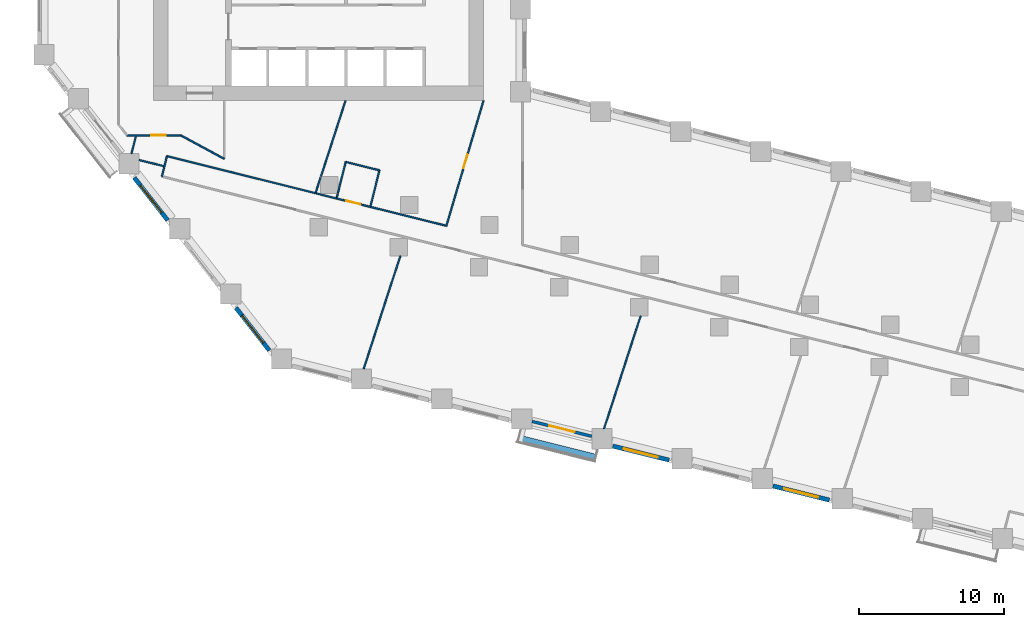
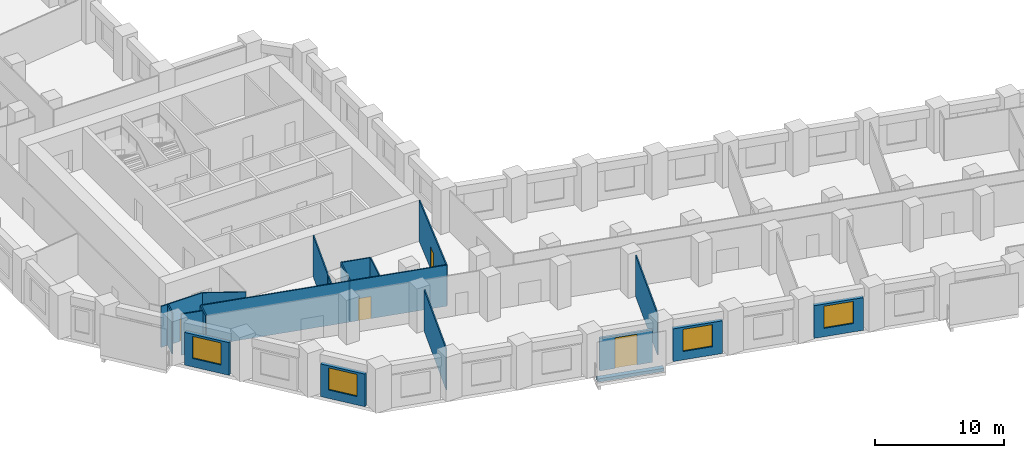
# One storey, part 3 of 12: 21 walls, 4 doors, 4 windows, 8 openings.
"""IFC4 building model written with IfcOpenShell, lengths in metres."""

from ifc_helpers import new_model, si_unit, direction, frame, frame_2d, origin, place, context, subcontext, project, spatial, rectangle, extrude, material, layer, layer_set, type_object, element, fill, save


model = new_model("IFC4")

# Units and contexts
model_context = context("Model", 3, precision=1e-05, world=origin(), true_north=direction((0.0, 1.0)))
body_context = subcontext(model_context, "Body", "Model", "MODEL_VIEW")
ifc_project = project(units=[si_unit("LENGTHUNIT", "METRE"), si_unit("AREAUNIT", "SQUARE_METRE"), si_unit("VOLUMEUNIT", "CUBIC_METRE"), si_unit("PLANEANGLEUNIT", "RADIAN"), si_unit("MASSUNIT", "GRAM", prefix="KILO")], contexts=[model_context])

# Site, building, storey
site_placement = place(None, origin())
site = spatial("IfcSite", under=ifc_project, at=site_placement, CompositionType="ELEMENT")
building_placement = place(site_placement, origin())
building = spatial("IfcBuilding", under=site, at=building_placement, Name="Meshkara Civic Tower", CompositionType="ELEMENT")
storey_placement = place(building_placement, frame((0.0, 0.0, 58.199951171875)))
storey = spatial("IfcBuildingStorey", under=building, at=storey_placement, Name="L12", CompositionType="ELEMENT", Elevation=58.199951171875)

# Wall, opening, door
ifc_material_1 = material(Name="Corridor wall 100")
ifc_layer_1 = layer(ifc_material_1, 0.10009765625)
ifc_layer_set_1 = layer_set([ifc_layer_1], Name="Corridor wall 100")
wall_type_1 = type_object("IfcWallType", Name="Corridor wall 100", PredefinedType="PARTITIONING", material=ifc_layer_set_1)
wall_1_placement = place(storey_placement, frame((6.18505859375, 11.699951171875, 0.0), z_axis=(0.0, 0.0, 1.0), x_axis=(1.0, 0.0, 0.0)))
wall_1 = element("IfcWall", 1, at=wall_1_placement, inside=storey, type_object=wall_type_1, Name="L12-W006", PredefinedType="PARTITIONING", context=body_context, shape_type="SweptSolid", body=[
    extrude(rectangle(XDim=3.71484375, YDim=0.10009765625, at=frame_2d((1.857421875, 0.0))), origin(), (0.0, 0.0, 1.0), 3.900146484375),
])
opening_1_placement = place(wall_1_placement, frame((1.69189453125, 0.0, 0.0)))
opening_1 = element("IfcOpeningElement", 2, at=opening_1_placement, cuts=wall_1, Name="Opening L12-D012", PredefinedType="OPENING", context=body_context, shape_type="SweptSolid", body=[
    extrude(rectangle(XDim=1.0, YDim=2.10009765625, at=frame_2d((0.5, 1.050048828125))), frame((0.0, 0.06005859375, 0.0), z_axis=(0.0, -1.0, 0.0), x_axis=(1.0, 0.0, 0.0)), (0.0, 0.0, 1.0), 0.1201171875),
])
ifc_material_2 = material(Name="Door 1000 x 2100")
door_type_1 = type_object("IfcDoorType", Name="Door 1000 x 2100", OperationType="SINGLE_SWING_LEFT", PredefinedType="DOOR", material=ifc_material_2)
door_1_placement = place(opening_1_placement, origin())
door_1 = element("IfcDoor", 3, at=door_1_placement, inside=storey, type_object=door_type_1, Name="L12-D012", OperationType="SINGLE_SWING_LEFT", OverallHeight=2.10009765625, OverallWidth=1.0, PredefinedType="DOOR", context=body_context, shape_type="SweptSolid", body=[
    extrude(rectangle(XDim=1.0, YDim=2.10009765625, at=frame_2d((0.5, 1.050048828125))), frame((0.0, 0.02490234375, 0.0), z_axis=(0.0, -1.0, 0.0), x_axis=(1.0, 0.0, 0.0)), (0.0, 0.0, 1.0), 0.050048828125),
])
fill(opening_1, door_1)

wall_2_placement = place(storey_placement, frame((8.944091796875, 10.263916015625, 0.0), z_axis=(0.0, 0.0, 1.0), x_axis=(0.970300504447, -0.241902730595, 0.0)))
wall_2 = element("IfcWall", 4, at=wall_2_placement, inside=storey, type_object=wall_type_1, Name="L12-W009", PredefinedType="PARTITIONING", context=body_context, shape_type="SweptSolid", body=[
    extrude(rectangle(XDim=19.879150390625, YDim=0.10009765625, at=frame_2d((9.939453125, 0.0))), origin(), (0.0, 0.0, 1.0), 3.900146484375),
])
opening_2_placement = place(wall_2_placement, frame((12.7490234375, 0.0, 0.0)))
opening_2 = element("IfcOpeningElement", 5, at=opening_2_placement, cuts=wall_2, Name="Opening L12-D014", PredefinedType="OPENING", context=body_context, shape_type="SweptSolid", body=[
    extrude(rectangle(XDim=1.0, YDim=2.10009765625, at=frame_2d((0.5, 1.050048828125))), frame((0.0, 0.06005859375, 0.0), z_axis=(0.0, -1.0, 0.0), x_axis=(1.0, 0.0, 0.0)), (0.0, 0.0, 1.0), 0.1201171875),
])
door_2_placement = place(opening_2_placement, origin())
door_2 = element("IfcDoor", 6, at=door_2_placement, inside=storey, type_object=door_type_1, Name="L12-D014", OperationType="SINGLE_SWING_LEFT", OverallHeight=2.10009765625, OverallWidth=1.0, PredefinedType="DOOR", context=body_context, shape_type="SweptSolid", body=[
    extrude(rectangle(XDim=1.0, YDim=2.10009765625, at=frame_2d((0.5, 1.050048828125))), frame((0.0, 0.02490234375, 0.0), z_axis=(0.0, -1.0, 0.0), x_axis=(1.0, 0.0, 0.0)), (0.0, 0.0, 1.0), 0.050048828125),
])
fill(opening_2, door_2)

# Walls
wall_3_placement = place(storey_placement, frame((8.944091796875, 10.263916015625, 0.0), z_axis=(0.0, 0.0, 1.0), x_axis=(-0.242297077633, -0.970202105837, 0.0)))
element("IfcWall", 7, at=wall_3_placement, inside=storey, type_object=wall_type_1, Name="L12-W010", PredefinedType="PARTITIONING", context=body_context, shape_type="SweptSolid", body=[
    extrude(rectangle(XDim=1.44482421875, YDim=0.10009765625, at=frame_2d((0.722412109375, 0.0))), origin(), (0.0, 0.0, 1.0), 3.900146484375),
])
wall_4_placement = place(storey_placement, frame((9.89990234375, 11.699951171875, 0.0), z_axis=(0.0, 0.0, 1.0), x_axis=(0.87965147249, -0.475618846291, 0.0)))
element("IfcWall", 8, at=wall_4_placement, inside=storey, type_object=wall_type_1, Name="L12-W011", PredefinedType="PARTITIONING", context=body_context, shape_type="SweptSolid", body=[
    extrude(rectangle(XDim=3.410400390625, YDim=0.10009765625, at=frame_2d((1.705078125, 0.0))), origin(), (0.0, 0.0, 1.0), 3.900146484375),
])

# Wall, opening, door
wall_5_placement = place(storey_placement, frame((30.800048828125, 14.10009765625, 0.0), z_axis=(0.0, 0.0, 1.0), x_axis=(-0.284664373847, -0.95862724469, 0.0)))
wall_5 = element("IfcWall", 9, at=wall_5_placement, inside=storey, type_object=wall_type_1, Name="L12-W021", PredefinedType="PARTITIONING", context=body_context, shape_type="SweptSolid", body=[
    extrude(rectangle(XDim=9.01806640625, YDim=0.10009765625, at=frame_2d((4.509033203125, 0.0))), origin(), (0.0, 0.0, 1.0), 3.900146484375),
])
opening_3_placement = place(wall_5_placement, frame((3.8798828125, 0.0, 0.0)))
opening_3 = element("IfcOpeningElement", 10, at=opening_3_placement, cuts=wall_5, Name="Opening L12-D015", PredefinedType="OPENING", context=body_context, shape_type="SweptSolid", body=[
    extrude(rectangle(XDim=1.0, YDim=2.10009765625, at=frame_2d((0.5, 1.050048828125))), frame((0.0, 0.06005859375, 0.0), z_axis=(0.0, -1.0, 0.0), x_axis=(1.0, 0.0, 0.0)), (0.0, 0.0, 1.0), 0.1201171875),
])
door_3_placement = place(opening_3_placement, origin())
door_3 = element("IfcDoor", 11, at=door_3_placement, inside=storey, type_object=door_type_1, Name="L12-D015", OperationType="SINGLE_SWING_RIGHT", OverallHeight=2.10009765625, OverallWidth=1.0, PredefinedType="DOOR", context=body_context, shape_type="SweptSolid", body=[
    extrude(rectangle(XDim=1.0, YDim=2.10009765625, at=frame_2d((0.5, 1.050048828125))), frame((0.0, 0.02490234375, 0.0), z_axis=(0.0, -1.0, 0.0), x_axis=(1.0, 0.0, 0.0)), (0.0, 0.0, 1.0), 0.050048828125),
])
fill(opening_3, door_3)

# Wall, opening, window
ifc_material_3 = material(Name="Insulated infill panel with bronze anodised aluminium cladding", Category="aluminium")
ifc_layer_2 = layer(ifc_material_3, 0.300048828125)
ifc_layer_set_2 = layer_set([ifc_layer_2], Name="EXTERNAL INFILL WALL 300")
wall_type_2 = type_object("IfcWallType", Name="EXTERNAL INFILL WALL 300", PredefinedType="SOLIDWALL", material=ifc_layer_set_2)
wall_6_placement = place(storey_placement, frame((6.69189453125, 8.778076171875, 0.0), z_axis=(0.0, 0.0, 1.0), x_axis=(0.615767067156, -0.787928244833, 0.0)))
wall_6 = element("IfcWall", 12, at=wall_6_placement, inside=storey, type_object=wall_type_2, Name="External wall", PredefinedType="SOLIDWALL", context=body_context, shape_type="SweptSolid", body=[
    extrude(rectangle(XDim=3.7353515625, YDim=0.300048828125, at=frame_2d((1.86767578125, 0.0))), origin(), (0.0, 0.0, 1.0), 3.10009765625),
])
opening_4_placement = place(wall_6_placement, frame((0.66796875, 0.0, 0.800048828125)))
opening_4 = element("IfcOpeningElement", 13, at=opening_4_placement, cuts=wall_6, Name="Opening W7", PredefinedType="OPENING", context=body_context, shape_type="SweptSolid", body=[
    extrude(rectangle(XDim=2.39990234375, YDim=2.10009765625, at=frame_2d((1.199951171875, 1.050048828125))), frame((0.0, 0.159912109375, 0.0), z_axis=(0.0, -1.0, 0.0), x_axis=(1.0, 0.0, 0.0)), (0.0, 0.0, 1.0), 0.320068359375),
])
ifc_material_4 = material(Name="Tinted double glazing", Category="glass")
window_type = type_object("IfcWindowType", Name="WINDOW 2400x2100", PartitioningType="DOUBLE_PANEL_VERTICAL", PredefinedType="WINDOW", material=ifc_material_4)
window_1_placement = place(opening_4_placement, origin())
window_1 = element("IfcWindow", 14, at=window_1_placement, inside=storey, type_object=window_type, Name="Window", OverallHeight=2.10009765625, OverallWidth=2.39990234375, PartitioningType="DOUBLE_PANEL_VERTICAL", PredefinedType="WINDOW", context=body_context, shape_type="SweptSolid", body=[
    extrude(rectangle(XDim=2.39990234375, YDim=2.10009765625, at=frame_2d((1.199951171875, 1.050048828125))), frame((0.0, 0.030029296875, 0.0), z_axis=(0.0, -1.0, 0.0), x_axis=(1.0, 0.0, 0.0)), (0.0, 0.0, 1.0), 0.06005859375),
])
fill(opening_4, window_1)

wall_7_placement = place(storey_placement, frame((13.7099609375, -0.205078125, 0.0), z_axis=(0.0, 0.0, 1.0), x_axis=(0.615798780214, -0.787903460004, 0.0)))
wall_7 = element("IfcWall", 15, at=wall_7_placement, inside=storey, type_object=wall_type_2, Name="External wall", PredefinedType="SOLIDWALL", context=body_context, shape_type="SweptSolid", body=[
    extrude(rectangle(XDim=3.735107421875, YDim=0.300048828125, at=frame_2d((1.86767578125, 0.0))), origin(), (0.0, 0.0, 1.0), 3.10009765625),
])
opening_5_placement = place(wall_7_placement, frame((0.6669921875, 0.0, 0.800048828125)))
opening_5 = element("IfcOpeningElement", 16, at=opening_5_placement, cuts=wall_7, Name="Opening W7", PredefinedType="OPENING", context=body_context, shape_type="SweptSolid", body=[
    extrude(rectangle(XDim=2.39990234375, YDim=2.10009765625, at=frame_2d((1.199951171875, 1.050048828125))), frame((0.0, 0.159912109375, 0.0), z_axis=(0.0, -1.0, 0.0), x_axis=(1.0, 0.0, 0.0)), (0.0, 0.0, 1.0), 0.320068359375),
])
window_2_placement = place(opening_5_placement, origin())
window_2 = element("IfcWindow", 17, at=window_2_placement, inside=storey, type_object=window_type, Name="Window", OverallHeight=2.10009765625, OverallWidth=2.39990234375, PartitioningType="DOUBLE_PANEL_VERTICAL", PredefinedType="WINDOW", context=body_context, shape_type="SweptSolid", body=[
    extrude(rectangle(XDim=2.39990234375, YDim=2.10009765625, at=frame_2d((1.199951171875, 1.050048828125))), frame((0.0, 0.030029296875, 0.0), z_axis=(0.0, -1.0, 0.0), x_axis=(1.0, 0.0, 0.0)), (0.0, 0.0, 1.0), 0.06005859375),
])
fill(opening_5, window_2)

wall_8_placement = place(storey_placement, frame((39.72509765625, -9.75, 0.0), z_axis=(0.0, 0.0, 1.0), x_axis=(0.970314477803, -0.241846674911, 0.0)))
wall_8 = element("IfcWall", 18, at=wall_8_placement, inside=storey, type_object=wall_type_2, Name="External wall", PredefinedType="SOLIDWALL", context=body_context, shape_type="SweptSolid", body=[
    extrude(rectangle(XDim=4.002685546875, YDim=0.300048828125, at=frame_2d((2.00146484375, 0.0))), origin(), (0.0, 0.0, 1.0), 3.10009765625),
])
opening_6_placement = place(wall_8_placement, frame((0.801025390625, 0.0, 0.800048828125)))
opening_6 = element("IfcOpeningElement", 19, at=opening_6_placement, cuts=wall_8, Name="Opening W7", PredefinedType="OPENING", context=body_context, shape_type="SweptSolid", body=[
    extrude(rectangle(XDim=2.39990234375, YDim=2.10009765625, at=frame_2d((1.199951171875, 1.050048828125))), frame((0.0, 0.159912109375, 0.0), z_axis=(0.0, -1.0, 0.0), x_axis=(1.0, 0.0, 0.0)), (0.0, 0.0, 1.0), 0.320068359375),
])
window_3_placement = place(opening_6_placement, origin())
window_3 = element("IfcWindow", 20, at=window_3_placement, inside=storey, type_object=window_type, Name="Window", OverallHeight=2.10009765625, OverallWidth=2.39990234375, PartitioningType="DOUBLE_PANEL_VERTICAL", PredefinedType="WINDOW", context=body_context, shape_type="SweptSolid", body=[
    extrude(rectangle(XDim=2.39990234375, YDim=2.10009765625, at=frame_2d((1.199951171875, 1.050048828125))), frame((0.0, 0.030029296875, 0.0), z_axis=(0.0, -1.0, 0.0), x_axis=(1.0, 0.0, 0.0)), (0.0, 0.0, 1.0), 0.06005859375),
])
fill(opening_6, window_3)

wall_9_placement = place(storey_placement, frame((50.785888671875, -12.508056640625, 0.0), z_axis=(0.0, 0.0, 1.0), x_axis=(0.970318045095, -0.24183236211, 0.0)))
wall_9 = element("IfcWall", 21, at=wall_9_placement, inside=storey, type_object=wall_type_2, Name="External wall", PredefinedType="SOLIDWALL", context=body_context, shape_type="SweptSolid", body=[
    extrude(rectangle(XDim=4.0029296875, YDim=0.300048828125, at=frame_2d((2.00146484375, 0.0))), origin(), (0.0, 0.0, 1.0), 3.10009765625),
])
opening_7_placement = place(wall_9_placement, frame((0.802001953125, 0.0, 0.800048828125)))
opening_7 = element("IfcOpeningElement", 22, at=opening_7_placement, cuts=wall_9, Name="Opening W7", PredefinedType="OPENING", context=body_context, shape_type="SweptSolid", body=[
    extrude(rectangle(XDim=2.39990234375, YDim=2.10009765625, at=frame_2d((1.199951171875, 1.050048828125))), frame((0.0, 0.159912109375, 0.0), z_axis=(0.0, -1.0, 0.0), x_axis=(1.0, 0.0, 0.0)), (0.0, 0.0, 1.0), 0.320068359375),
])
window_4_placement = place(opening_7_placement, origin())
window_4 = element("IfcWindow", 23, at=window_4_placement, inside=storey, type_object=window_type, Name="Window", OverallHeight=2.10009765625, OverallWidth=2.39990234375, PartitioningType="DOUBLE_PANEL_VERTICAL", PredefinedType="WINDOW", context=body_context, shape_type="SweptSolid", body=[
    extrude(rectangle(XDim=2.39990234375, YDim=2.10009765625, at=frame_2d((1.199951171875, 1.050048828125))), frame((0.0, 0.030029296875, 0.0), z_axis=(0.0, -1.0, 0.0), x_axis=(1.0, 0.0, 0.0)), (0.0, 0.0, 1.0), 0.06005859375),
])
fill(opening_7, window_4)

# Wall, opening, door
ifc_material_5 = material(Name="Insulated infill panel with bronze anodised aluminium cladding", Category="aluminium")
ifc_layer_3 = layer(ifc_material_5, 0.199951171875)
ifc_layer_set_3 = layer_set([ifc_layer_3], Name="LOGGIA BACK WALL 200")
wall_type_3 = type_object("IfcWallType", Name="LOGGIA BACK WALL 200", PredefinedType="SOLIDWALL", material=ifc_layer_set_3)
wall_10_placement = place(storey_placement, frame((34.14306640625, -8.049072265625, 0.0), z_axis=(0.0, 0.0, 1.0), x_axis=(0.970290742877, -0.241941882045, 0.0)))
wall_10 = element("IfcWall", 24, at=wall_10_placement, inside=storey, type_object=wall_type_3, Name="Loggia wall", PredefinedType="SOLIDWALL", context=body_context, shape_type="SweptSolid", body=[
    extrude(rectangle(XDim=4.25732421875, YDim=0.199951171875, at=frame_2d((2.128662109375, 0.0))), origin(), (0.0, 0.0, 1.0), 3.10009765625),
])
opening_8_placement = place(wall_10_placement, frame((1.22802734375, 0.0, 0.0)))
opening_8 = element("IfcOpeningElement", 25, at=opening_8_placement, cuts=wall_10, Name="Opening L12-L004", PredefinedType="OPENING", context=body_context, shape_type="SweptSolid", body=[
    extrude(rectangle(XDim=1.800048828125, YDim=2.89990234375, at=frame_2d((0.89990234375, 1.449951171875))), frame((0.0, 0.10986328125, 0.0), z_axis=(0.0, -1.0, 0.0), x_axis=(1.0, 0.0, 0.0)), (0.0, 0.0, 1.0), 0.219970703125),
])
ifc_material_6 = material(Name="Tinted double glazing", Category="glass")
door_type_2 = type_object("IfcDoorType", Name="LOGGIA DOOR 1800x2900", OperationType="DOUBLE_DOOR_SINGLE_SWING", PredefinedType="DOOR", material=ifc_material_6)
door_4_placement = place(opening_8_placement, origin())
door_4 = element("IfcDoor", 26, at=door_4_placement, inside=storey, type_object=door_type_2, Name="L12-L004", OperationType="DOUBLE_DOOR_SINGLE_SWING", OverallHeight=2.89990234375, OverallWidth=1.800048828125, PredefinedType="DOOR", context=body_context, shape_type="SweptSolid", body=[
    extrude(rectangle(XDim=1.800048828125, YDim=2.89990234375, at=frame_2d((0.89990234375, 1.449951171875))), frame((0.0, 0.02490234375, 0.0), z_axis=(0.0, -1.0, 0.0), x_axis=(1.0, 0.0, 0.0)), (0.0, 0.0, 1.0), 0.050048828125),
])
fill(opening_8, door_4)

# Walls
ifc_material_7 = material(Name="Concrete C40", Category="concrete")
ifc_layer_4 = layer(ifc_material_7, 0.39990234375)
ifc_layer_set_4 = layer_set([ifc_layer_4], Name="PLANTER TRAY")
wall_type_4 = type_object("IfcWallType", Name="PLANTER TRAY", PredefinedType="SOLIDWALL", material=ifc_layer_set_4)
wall_11_placement = place(storey_placement, frame((33.285888671875, -9.2060546875, 0.0), z_axis=(0.0, 0.0, 1.0), x_axis=(0.970292345375, -0.241935455249, 0.0)))
element("IfcWall", 27, at=wall_11_placement, inside=storey, type_object=wall_type_4, Name="Planter", PredefinedType="SOLIDWALL", context=body_context, shape_type="SweptSolid", body=[
    extrude(rectangle(XDim=5.3603515625, YDim=0.39990234375, at=frame_2d((2.68017578125, 0.0))), origin(), (0.0, 0.0, 1.0), 0.300048828125),
])
ifc_material_8 = material(Name="Partition 100")
ifc_layer_5 = layer(ifc_material_8, 0.10009765625)
ifc_layer_set_5 = layer_set([ifc_layer_5], Name="Partition 100")
wall_type_5 = type_object("IfcWallType", Name="Partition 100", PredefinedType="PARTITIONING", material=ifc_layer_set_5)
wall_12_placement = place(storey_placement, frame((6.797119140625, 11.637939453125, 0.0), z_axis=(0.0, 0.0, 1.0), x_axis=(-0.242396400943, -0.970177295555, 0.0)))
element("IfcWall", 28, at=wall_12_placement, inside=storey, type_object=wall_type_5, Name="L12-W035", PredefinedType="PARTITIONING", context=body_context, shape_type="SweptSolid", body=[
    extrude(rectangle(XDim=1.23779296875, YDim=0.10009765625, at=frame_2d((0.618896484375, 0.0))), origin(), (0.0, 0.0, 1.0), 3.900146484375),
])
wall_13_placement = place(storey_placement, frame((8.719970703125, 9.573974609375, 0.0), z_axis=(0.0, 0.0, 1.0), x_axis=(-0.97016712555, 0.242437102155, 0.0)))
element("IfcWall", 29, at=wall_13_placement, inside=storey, type_object=wall_type_5, Name="L12-W036", PredefinedType="PARTITIONING", context=body_context, shape_type="SweptSolid", body=[
    extrude(rectangle(XDim=1.749267578125, YDim=0.10009765625, at=frame_2d((0.87451171875, 0.0))), origin(), (0.0, 0.0, 1.0), 3.900146484375),
])
wall_14_placement = place(storey_placement, frame((19.216064453125, 7.758056640625, 0.0), z_axis=(0.0, 0.0, 1.0), x_axis=(0.308748247722, 0.9511437954, 0.0)))
element("IfcWall", 30, at=wall_14_placement, inside=storey, type_object=wall_type_5, Name="L12-W039", PredefinedType="PARTITIONING", context=body_context, shape_type="SweptSolid", body=[
    extrude(rectangle(XDim=1.07861328125, YDim=0.10009765625, at=frame_2d((0.539306640625, 0.0))), origin(), (0.0, 0.0, 1.0), 3.900146484375),
])
wall_15_placement = place(storey_placement, frame((19.576904296875, 8.87109375, 0.0), z_axis=(0.0, 0.0, 1.0), x_axis=(0.309011770838, 0.951058213509, 0.0)))
element("IfcWall", 31, at=wall_15_placement, inside=storey, type_object=wall_type_5, Name="L12-W040", PredefinedType="PARTITIONING", context=body_context, shape_type="SweptSolid", body=[
    extrude(rectangle(XDim=5.498046875, YDim=0.10009765625, at=frame_2d((2.7490234375, 0.0))), origin(), (0.0, 0.0, 1.0), 3.900146484375),
])
wall_16_placement = place(storey_placement, frame((20.6669921875, 7.39306640625, 0.0), z_axis=(0.0, 0.0, 1.0), x_axis=(0.241331539526, 0.970442727846, 0.0)))
element("IfcWall", 32, at=wall_16_placement, inside=storey, type_object=wall_type_5, Name="L12-W042", PredefinedType="PARTITIONING", context=body_context, shape_type="SweptSolid", body=[
    extrude(rectangle(XDim=0.286376953125, YDim=0.10009765625, at=frame_2d((0.14306640625, 0.0))), origin(), (0.0, 0.0, 1.0), 3.900146484375),
])
wall_17_placement = place(storey_placement, frame((20.7490234375, 7.721923828125, 0.0), z_axis=(0.0, 0.0, 1.0), x_axis=(0.241963917433, 0.97028524809, 0.0)))
element("IfcWall", 33, at=wall_17_placement, inside=storey, type_object=wall_type_5, Name="L12-W043", PredefinedType="PARTITIONING", context=body_context, shape_type="SweptSolid", body=[
    extrude(rectangle(XDim=2.210693359375, YDim=0.10009765625, at=frame_2d((1.10546875, 0.0))), origin(), (0.0, 0.0, 1.0), 3.900146484375),
])
wall_18_placement = place(storey_placement, frame((21.283935546875, 9.866943359375, 0.0), z_axis=(0.0, 0.0, 1.0), x_axis=(0.970262034576, -0.242056985565, 0.0)))
element("IfcWall", 34, at=wall_18_placement, inside=storey, type_object=wall_type_5, Name="L12-W044", PredefinedType="PARTITIONING", context=body_context, shape_type="SweptSolid", body=[
    extrude(rectangle(XDim=2.400390625, YDim=0.10009765625, at=frame_2d((1.2001953125, 0.0))), origin(), (0.0, 0.0, 1.0), 3.900146484375),
])
wall_19_placement = place(storey_placement, frame((22.52392578125, -4.4169921875, 0.0), z_axis=(0.0, 0.0, 1.0), x_axis=(0.309171572002, 0.951006277091, 0.0)))
element("IfcWall", 35, at=wall_19_placement, inside=storey, type_object=wall_type_5, Name="L12-W047", PredefinedType="PARTITIONING", context=body_context, shape_type="SweptSolid", body=[
    extrude(rectangle(XDim=8.199951171875, YDim=0.10009765625, at=frame_2d((4.10009765625, 0.0))), origin(), (0.0, 0.0, 1.0), 3.900146484375),
])
wall_20_placement = place(storey_placement, frame((23.613037109375, 9.285888671875, 0.0), z_axis=(0.0, 0.0, 1.0), x_axis=(-0.241972320765, -0.970283152478, 0.0)))
element("IfcWall", 36, at=wall_20_placement, inside=storey, type_object=wall_type_5, Name="L12-W048", PredefinedType="PARTITIONING", context=body_context, shape_type="SweptSolid", body=[
    extrude(rectangle(XDim=2.549560546875, YDim=0.10009765625, at=frame_2d((1.27490234375, 0.0))), origin(), (0.0, 0.0, 1.0), 3.900146484375),
])
wall_21_placement = place(storey_placement, frame((39.115966796875, -8.553955078125, 0.0), z_axis=(0.0, 0.0, 1.0), x_axis=(0.309153397643, 0.951012185372, 0.0)))
element("IfcWall", 37, at=wall_21_placement, inside=storey, type_object=wall_type_5, Name="L12-W049", PredefinedType="PARTITIONING", context=body_context, shape_type="SweptSolid", body=[
    extrude(rectangle(XDim=8.199462890625, YDim=0.10009765625, at=frame_2d((4.099609375, 0.0))), origin(), (0.0, 0.0, 1.0), 3.900146484375),
])

save(model, "model.ifc")
